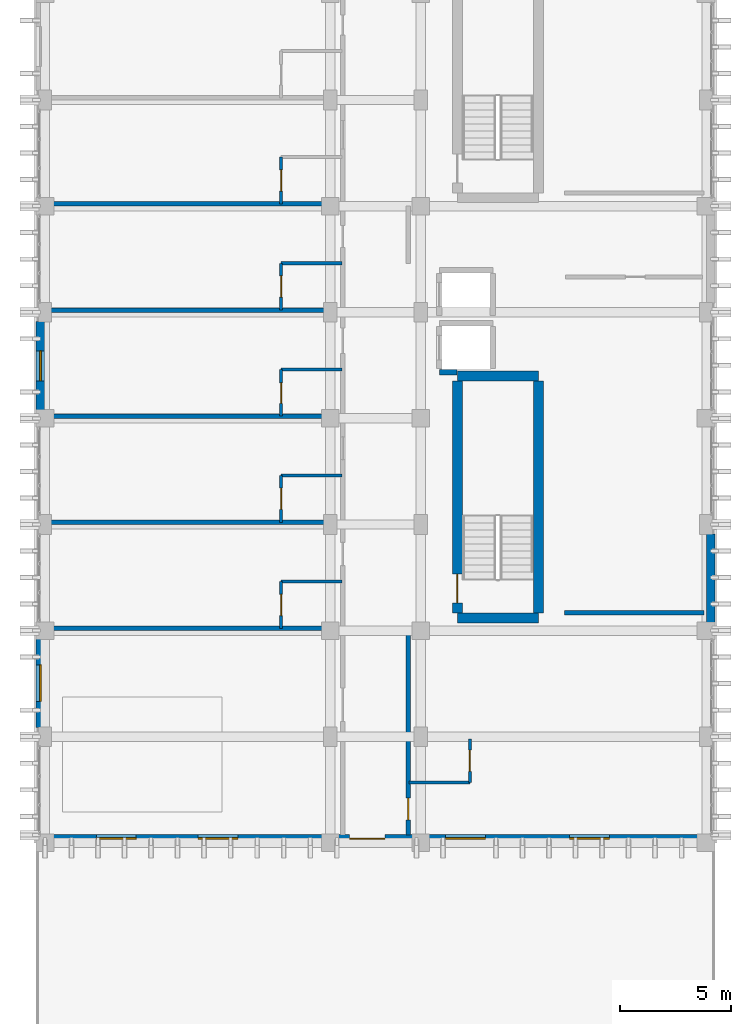
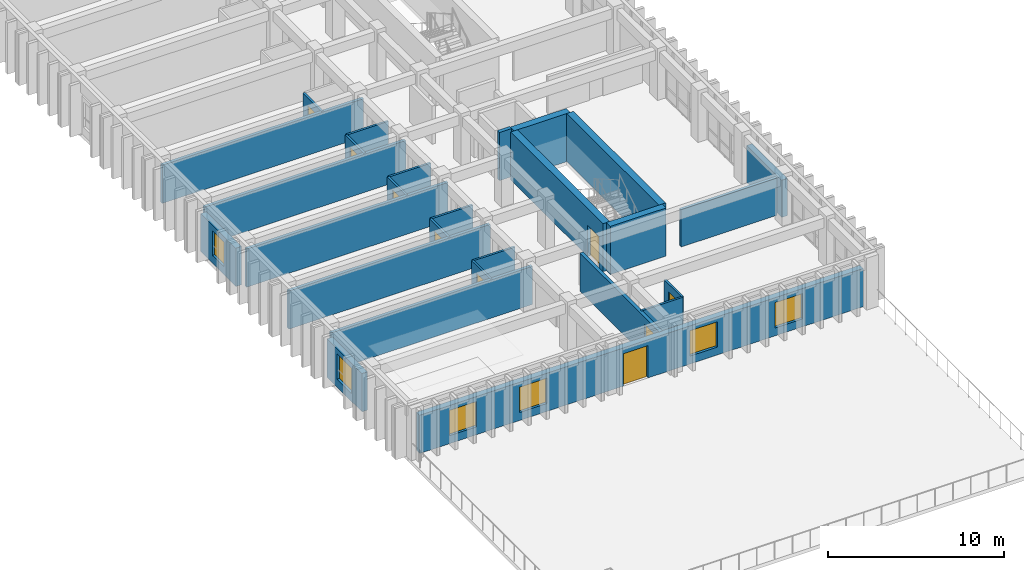
# One storey, part 63 of 82: 27 walls, 9 doors, 6 windows, 15 openings.
"""IFC4 building model written with IfcOpenShell, lengths in metres."""

from ifc_helpers import new_model, si_unit, direction, frame, frame_2d, origin, place, context, subcontext, project, spatial, rectangle, extrude, material, layer, layer_set, type_object, element, fill, save


model = new_model("IFC4")

# Units and contexts
model_context = context("Model", 3, precision=1e-05, world=origin(), true_north=direction((0.0, 1.0)))
body_context = subcontext(model_context, "Body", "Model", "MODEL_VIEW")
ifc_project = project(units=[si_unit("LENGTHUNIT", "METRE"), si_unit("AREAUNIT", "SQUARE_METRE"), si_unit("VOLUMEUNIT", "CUBIC_METRE"), si_unit("PLANEANGLEUNIT", "RADIAN"), si_unit("MASSUNIT", "GRAM", prefix="KILO")], contexts=[model_context])

# Site, building, storey
site_placement = place(None, origin())
site = spatial("IfcSite", under=ifc_project, at=site_placement, CompositionType="ELEMENT")
building_placement = place(site_placement, origin())
building = spatial("IfcBuilding", under=site, at=building_placement, Name="Nakhvara Creek Congress Hotel", CompositionType="ELEMENT")
storey_placement = place(building_placement, frame((0.0, 0.0, 21.0)))
storey = spatial("IfcBuildingStorey", under=building, at=storey_placement, Name="L04", CompositionType="ELEMENT", Elevation=21.0)

# Walls
ifc_material_1 = material(Name="Concrete C50/60", Category="concrete")
ifc_layer_1 = layer(ifc_material_1, 0.449951171875)
ifc_layer_set_1 = layer_set([ifc_layer_1], Name="Concrete C50/60")
wall_type_1 = type_object("IfcWallType", Name="W-CORE-450", PredefinedType="SHEAR", material=ifc_layer_set_1)
for number, where, z_axis, x_axis, name in (
    (1, (168.10009765625, 29.3798828125, 0.0), (0.0, 0.0, 1.0), (1.0, 0.0, 0.0), "Core Shear Wall WS02-CWALL-L04-0600"),
    (2, (168.10009765625, 40.320068359375, 0.0), (0.0, 0.0, 1.0), (1.0, 0.0, 0.0), "Core Shear Wall WS02-CWALL-L04-0601"),
):
    element("IfcWall", number, at=place(storey_placement, frame(where, z_axis=z_axis, x_axis=x_axis)), inside=storey, type_object=wall_type_1, Name=name, PredefinedType="SHEAR", context=body_context, shape_type="SweptSolid", body=[
        extrude(rectangle(XDim=3.669921875, YDim=0.449951171875, at=frame_2d((1.8349609375, 0.0))), origin(), (0.0, 0.0, 1.0), 3.340087890625),
    ])

# Wall, opening, door
wall_1_placement = place(storey_placement, frame((168.10009765625, 29.60009765625, 0.0), z_axis=(0.0, 0.0, 1.0), x_axis=(0.0, 1.0, 0.0)))
wall_1 = element("IfcWall", 3, at=wall_1_placement, inside=storey, type_object=wall_type_1, Name="Core Shear Wall WS02-CWALL-L04-0602", PredefinedType="SHEAR", context=body_context, shape_type="SweptSolid", body=[
    extrude(rectangle(XDim=10.5, YDim=0.449951171875, at=frame_2d((5.25, 0.0))), origin(), (0.0, 0.0, 1.0), 3.340087890625),
])
opening_1_placement = place(wall_1_placement, frame((0.449951171875, 0.0, 0.0)))
opening_1 = element("IfcOpeningElement", 4, at=opening_1_placement, cuts=wall_1, Name="Opening FD04", PredefinedType="OPENING", context=body_context, shape_type="SweptSolid", body=[
    extrude(rectangle(XDim=1.300048828125, YDim=2.14990234375, at=frame_2d((0.64990234375, 1.074951171875))), frame((0.0, 0.23681640625, 0.0), z_axis=(0.0, -1.0, 0.0), x_axis=(1.0, 0.0, 0.0)), (0.0, 0.0, 1.0), 0.473876953125),
])
ifc_material_2 = material(Name="Powder-coated steel fire door", Category="steel")
door_type_1 = type_object("IfcDoorType", Name="DT-STAIR-130", OperationType="NOTDEFINED", PredefinedType="DOOR", material=ifc_material_2)
door_1_placement = place(opening_1_placement, origin())
door_1 = element("IfcDoor", 5, at=door_1_placement, inside=storey, type_object=door_type_1, Name="Stair Exit Door ST03-L04", OperationType="SINGLE_SWING_LEFT", OverallHeight=2.14990234375, OverallWidth=1.300048828125, PredefinedType="DOOR", context=body_context, shape_type="SweptSolid", body=[
    extrude(rectangle(XDim=1.300048828125, YDim=2.14990234375, at=frame_2d((0.64990234375, 1.074951171875))), frame((0.0, 0.02490234375, 0.0), z_axis=(0.0, -1.0, 0.0), x_axis=(1.0, 0.0, 0.0)), (0.0, 0.0, 1.0), 0.050048828125),
])
fill(opening_1, door_1)

# Wall
wall_2_placement = place(storey_placement, frame((171.77001953125, 29.60009765625, 0.0), z_axis=(0.0, 0.0, 1.0), x_axis=(0.0, 1.0, 0.0)))
element("IfcWall", 6, at=wall_2_placement, inside=storey, type_object=wall_type_1, Name="Core Shear Wall WS02-CWALL-L04-0603", PredefinedType="SHEAR", context=body_context, shape_type="SweptSolid", body=[
    extrude(rectangle(XDim=10.5, YDim=0.449951171875, at=frame_2d((5.25, 0.0))), origin(), (0.0, 0.0, 1.0), 3.340087890625),
])

# Wall, opening, door
ifc_material_3 = material(Name="Gypsum acoustic board on steel stud", Category="steel")
ifc_layer_2 = layer(ifc_material_3, 0.219970703125)
ifc_layer_set_2 = layer_set([ifc_layer_2], Name="Gypsum acoustic board on steel stud")
wall_type_2 = type_object("IfcWallType", Name="W-CORR-220", PredefinedType="PARTITIONING", material=ifc_layer_set_2)
wall_3_placement = place(storey_placement, frame((165.8798828125, 19.550048828125, 0.0), z_axis=(0.0, 0.0, 1.0), x_axis=(0.0, 1.0, 0.0)))
wall_3 = element("IfcWall", 7, at=wall_3_placement, inside=storey, type_object=wall_type_2, Name="Interior Wall WP11-IW-L04-0288", PredefinedType="PARTITIONING", context=body_context, shape_type="SweptSolid", body=[
    extrude(rectangle(XDim=9.050048828125, YDim=0.219970703125, at=frame_2d((4.52490234375, 0.0))), origin(), (0.0, 0.0, 1.0), 2.652099609375),
])
opening_2_placement = place(wall_3_placement, frame((0.69091796875, 0.0, 0.0)))
opening_2 = element("IfcOpeningElement", 8, at=opening_2_placement, cuts=wall_3, Name="Opening MD03", PredefinedType="OPENING", context=body_context, shape_type="SweptSolid", body=[
    extrude(rectangle(XDim=0.97998046875, YDim=2.14990234375, at=frame_2d((0.489990234375, 1.074951171875))), frame((0.0, 0.1220703125, 0.0), z_axis=(0.0, -1.0, 0.0), x_axis=(1.0, 0.0, 0.0)), (0.0, 0.0, 1.0), 0.243896484375),
])
ifc_material_4 = material(Name="Acoustic ISO 2603 sound-lock timber door", Category="wood")
door_type_2 = type_object("IfcDoorType", Name="DT-ISO-098", OperationType="NOTDEFINED", PredefinedType="DOOR", material=ifc_material_4)
door_2_placement = place(opening_2_placement, origin())
door_2 = element("IfcDoor", 9, at=door_2_placement, inside=storey, type_object=door_type_2, Name="Interior Door MD03-0276", OperationType="SINGLE_SWING_LEFT", OverallHeight=2.14990234375, OverallWidth=0.97998046875, PredefinedType="DOOR", context=body_context, shape_type="SweptSolid", body=[
    extrude(rectangle(XDim=0.97998046875, YDim=2.14990234375, at=frame_2d((0.489990234375, 1.074951171875))), frame((0.0, 0.02490234375, 0.0), z_axis=(0.0, -1.0, 0.0), x_axis=(1.0, 0.0, 0.0)), (0.0, 0.0, 1.0), 0.050048828125),
])
fill(opening_2, door_2)

ifc_material_5 = material(Name="Moisture-resistant gypsum board partition")
ifc_layer_3 = layer(ifc_material_5, 0.139892578125)
ifc_layer_set_3 = layer_set([ifc_layer_3], Name="Moisture-resistant gypsum board partition")
wall_type_3 = type_object("IfcWallType", Name="W-ENS-140", PredefinedType="PARTITIONING", material=ifc_layer_set_3)
wall_4_placement = place(storey_placement, frame((160.1298828125, 28.89990234375, 0.0), z_axis=(0.0, 0.0, 1.0), x_axis=(0.0, 1.0, 0.0)))
wall_4 = element("IfcWall", 10, at=wall_4_placement, inside=storey, type_object=wall_type_3, Name="Interior Wall WP15-IW-L04-0303", PredefinedType="PARTITIONING", context=body_context, shape_type="SweptSolid", body=[
    extrude(rectangle(XDim=2.1162109375, YDim=0.139892578125, at=frame_2d((1.05810546875, 0.0))), origin(), (0.0, 0.0, 1.0), 2.652099609375),
])
opening_3_placement = place(wall_4_placement, frame((0.5830078125, 0.0, 0.0)))
opening_3 = element("IfcOpeningElement", 11, at=opening_3_placement, cuts=wall_4, Name="Opening ID02", PredefinedType="OPENING", context=body_context, shape_type="SweptSolid", body=[
    extrude(rectangle(XDim=0.9599609375, YDim=2.1201171875, at=frame_2d((0.47998046875, 1.06005859375))), frame((0.0, 0.08203125, 0.0), z_axis=(0.0, -1.0, 0.0), x_axis=(1.0, 0.0, 0.0)), (0.0, 0.0, 1.0), 0.163818359375),
])
ifc_material_6 = material(Name="Moisture-resistant walnut timber door", Category="wood")
door_type_3 = type_object("IfcDoorType", Name="DT-ENS-096", OperationType="NOTDEFINED", PredefinedType="DOOR", material=ifc_material_6)
door_3_placement = place(opening_3_placement, origin())
door_3 = element("IfcDoor", 12, at=door_3_placement, inside=storey, type_object=door_type_3, Name="Interior Door ID02-0259", OperationType="SINGLE_SWING_RIGHT", OverallHeight=2.1201171875, OverallWidth=0.9599609375, PredefinedType="DOOR", context=body_context, shape_type="SweptSolid", body=[
    extrude(rectangle(XDim=0.9599609375, YDim=2.1201171875, at=frame_2d((0.47998046875, 1.06005859375))), frame((0.0, 0.02490234375, 0.0), z_axis=(0.0, -1.0, 0.0), x_axis=(1.0, 0.0, 0.0)), (0.0, 0.0, 1.0), 0.050048828125),
])
fill(opening_3, door_3)

# Wall
wall_5_placement = place(storey_placement, frame((160.1298828125, 31.01611328125, 0.0), z_axis=(0.0, 0.0, 1.0), x_axis=(1.0, 0.0, 0.0)))
element("IfcWall", 13, at=wall_5_placement, inside=storey, type_object=wall_type_3, Name="Interior Wall WP15-IW-L04-0304", PredefinedType="PARTITIONING", context=body_context, shape_type="SweptSolid", body=[
    extrude(rectangle(XDim=2.75, YDim=0.139892578125, at=frame_2d((1.375, 0.0))), origin(), (0.0, 0.0, 1.0), 2.652099609375),
])

# Wall, opening, door
wall_6_placement = place(storey_placement, frame((160.1298828125, 33.699951171875, 0.0), z_axis=(0.0, 0.0, 1.0), x_axis=(0.0, 1.0, 0.0)))
wall_6 = element("IfcWall", 14, at=wall_6_placement, inside=storey, type_object=wall_type_3, Name="Interior Wall WP15-IW-L04-0306", PredefinedType="PARTITIONING", context=body_context, shape_type="SweptSolid", body=[
    extrude(rectangle(XDim=2.115966796875, YDim=0.139892578125, at=frame_2d((1.05810546875, 0.0))), origin(), (0.0, 0.0, 1.0), 2.652099609375),
])
opening_4_placement = place(wall_6_placement, frame((0.5830078125, 0.0, 0.0)))
opening_4 = element("IfcOpeningElement", 15, at=opening_4_placement, cuts=wall_6, Name="Opening ID02", PredefinedType="OPENING", context=body_context, shape_type="SweptSolid", body=[
    extrude(rectangle(XDim=0.9599609375, YDim=2.1201171875, at=frame_2d((0.47998046875, 1.06005859375))), frame((0.0, 0.08203125, 0.0), z_axis=(0.0, -1.0, 0.0), x_axis=(1.0, 0.0, 0.0)), (0.0, 0.0, 1.0), 0.163818359375),
])
door_4_placement = place(opening_4_placement, origin())
door_4 = element("IfcDoor", 16, at=door_4_placement, inside=storey, type_object=door_type_3, Name="Interior Door ID02-0261", OperationType="SINGLE_SWING_RIGHT", OverallHeight=2.1201171875, OverallWidth=0.9599609375, PredefinedType="DOOR", context=body_context, shape_type="SweptSolid", body=[
    extrude(rectangle(XDim=0.9599609375, YDim=2.1201171875, at=frame_2d((0.47998046875, 1.06005859375))), frame((0.0, 0.02490234375, 0.0), z_axis=(0.0, -1.0, 0.0), x_axis=(1.0, 0.0, 0.0)), (0.0, 0.0, 1.0), 0.050048828125),
])
fill(opening_4, door_4)

# Wall
wall_7_placement = place(storey_placement, frame((160.1298828125, 35.81591796875, 0.0), z_axis=(0.0, 0.0, 1.0), x_axis=(1.0, 0.0, 0.0)))
element("IfcWall", 17, at=wall_7_placement, inside=storey, type_object=wall_type_3, Name="Interior Wall WP15-IW-L04-0307", PredefinedType="PARTITIONING", context=body_context, shape_type="SweptSolid", body=[
    extrude(rectangle(XDim=2.75, YDim=0.139892578125, at=frame_2d((1.375, 0.0))), origin(), (0.0, 0.0, 1.0), 2.652099609375),
])

# Wall, opening, door
wall_8_placement = place(storey_placement, frame((160.1298828125, 38.5, 0.0), z_axis=(0.0, 0.0, 1.0), x_axis=(0.0, 1.0, 0.0)))
wall_8 = element("IfcWall", 18, at=wall_8_placement, inside=storey, type_object=wall_type_3, Name="Interior Wall WP15-IW-L04-0309", PredefinedType="PARTITIONING", context=body_context, shape_type="SweptSolid", body=[
    extrude(rectangle(XDim=2.115966796875, YDim=0.139892578125, at=frame_2d((1.05810546875, 0.0))), origin(), (0.0, 0.0, 1.0), 2.652099609375),
])
opening_5_placement = place(wall_8_placement, frame((0.5830078125, 0.0, 0.0)))
opening_5 = element("IfcOpeningElement", 19, at=opening_5_placement, cuts=wall_8, Name="Opening ID01", PredefinedType="OPENING", context=body_context, shape_type="SweptSolid", body=[
    extrude(rectangle(XDim=0.919921875, YDim=2.10009765625, at=frame_2d((0.4599609375, 1.050048828125))), frame((0.0, 0.08203125, 0.0), z_axis=(0.0, -1.0, 0.0), x_axis=(1.0, 0.0, 0.0)), (0.0, 0.0, 1.0), 0.163818359375),
])
door_type_4 = type_object("IfcDoorType", Name="DT-ENS-092", OperationType="NOTDEFINED", PredefinedType="DOOR", material=ifc_material_6)
door_5_placement = place(opening_5_placement, origin())
door_5 = element("IfcDoor", 20, at=door_5_placement, inside=storey, type_object=door_type_4, Name="Interior Door ID01-0263", OperationType="SINGLE_SWING_RIGHT", OverallHeight=2.10009765625, OverallWidth=0.919921875, PredefinedType="DOOR", context=body_context, shape_type="SweptSolid", body=[
    extrude(rectangle(XDim=0.919921875, YDim=2.10009765625, at=frame_2d((0.4599609375, 1.050048828125))), frame((0.0, 0.02490234375, 0.0), z_axis=(0.0, -1.0, 0.0), x_axis=(1.0, 0.0, 0.0)), (0.0, 0.0, 1.0), 0.050048828125),
])
fill(opening_5, door_5)

# Wall
wall_9_placement = place(storey_placement, frame((160.1298828125, 40.615966796875, 0.0), z_axis=(0.0, 0.0, 1.0), x_axis=(1.0, 0.0, 0.0)))
element("IfcWall", 21, at=wall_9_placement, inside=storey, type_object=wall_type_3, Name="Interior Wall WP15-IW-L04-0310", PredefinedType="PARTITIONING", context=body_context, shape_type="SweptSolid", body=[
    extrude(rectangle(XDim=2.75, YDim=0.139892578125, at=frame_2d((1.375, 0.0))), origin(), (0.0, 0.0, 1.0), 2.652099609375),
])

# Wall, opening, door
wall_10_placement = place(storey_placement, frame((160.1298828125, 43.300048828125, 0.0), z_axis=(0.0, 0.0, 1.0), x_axis=(0.0, 1.0, 0.0)))
wall_10 = element("IfcWall", 22, at=wall_10_placement, inside=storey, type_object=wall_type_3, Name="Interior Wall WP15-IW-L04-0312", PredefinedType="PARTITIONING", context=body_context, shape_type="SweptSolid", body=[
    extrude(rectangle(XDim=2.115966796875, YDim=0.139892578125, at=frame_2d((1.05810546875, 0.0))), origin(), (0.0, 0.0, 1.0), 2.652099609375),
])
opening_6_placement = place(wall_10_placement, frame((0.5830078125, 0.0, 0.0)))
opening_6 = element("IfcOpeningElement", 23, at=opening_6_placement, cuts=wall_10, Name="Opening ID02", PredefinedType="OPENING", context=body_context, shape_type="SweptSolid", body=[
    extrude(rectangle(XDim=0.9599609375, YDim=2.1201171875, at=frame_2d((0.47998046875, 1.06005859375))), frame((0.0, 0.08203125, 0.0), z_axis=(0.0, -1.0, 0.0), x_axis=(1.0, 0.0, 0.0)), (0.0, 0.0, 1.0), 0.163818359375),
])
door_6_placement = place(opening_6_placement, origin())
door_6 = element("IfcDoor", 24, at=door_6_placement, inside=storey, type_object=door_type_3, Name="Interior Door ID02-0265", OperationType="SINGLE_SWING_RIGHT", OverallHeight=2.1201171875, OverallWidth=0.9599609375, PredefinedType="DOOR", context=body_context, shape_type="SweptSolid", body=[
    extrude(rectangle(XDim=0.9599609375, YDim=2.1201171875, at=frame_2d((0.47998046875, 1.06005859375))), frame((0.0, 0.02490234375, 0.0), z_axis=(0.0, -1.0, 0.0), x_axis=(1.0, 0.0, 0.0)), (0.0, 0.0, 1.0), 0.050048828125),
])
fill(opening_6, door_6)

# Wall
wall_11_placement = place(storey_placement, frame((160.1298828125, 45.416015625, 0.0), z_axis=(0.0, 0.0, 1.0), x_axis=(1.0, 0.0, 0.0)))
element("IfcWall", 25, at=wall_11_placement, inside=storey, type_object=wall_type_3, Name="Interior Wall WP15-IW-L04-0313", PredefinedType="PARTITIONING", context=body_context, shape_type="SweptSolid", body=[
    extrude(rectangle(XDim=2.75, YDim=0.139892578125, at=frame_2d((1.375, 0.0))), origin(), (0.0, 0.0, 1.0), 2.652099609375),
])

# Wall, opening, door
wall_12_placement = place(storey_placement, frame((160.1298828125, 48.10009765625, 0.0), z_axis=(0.0, 0.0, 1.0), x_axis=(0.0, 1.0, 0.0)))
wall_12 = element("IfcWall", 26, at=wall_12_placement, inside=storey, type_object=wall_type_3, Name="Interior Wall WP15-IW-L04-0315", PredefinedType="PARTITIONING", context=body_context, shape_type="SweptSolid", body=[
    extrude(rectangle(XDim=2.115966796875, YDim=0.139892578125, at=frame_2d((1.05810546875, 0.0))), origin(), (0.0, 0.0, 1.0), 2.652099609375),
])
opening_7_placement = place(wall_12_placement, frame((0.5830078125, 0.0, 0.0)))
opening_7 = element("IfcOpeningElement", 27, at=opening_7_placement, cuts=wall_12, Name="Opening ID02", PredefinedType="OPENING", context=body_context, shape_type="SweptSolid", body=[
    extrude(rectangle(XDim=0.9599609375, YDim=2.1201171875, at=frame_2d((0.47998046875, 1.06005859375))), frame((0.0, 0.08203125, 0.0), z_axis=(0.0, -1.0, 0.0), x_axis=(1.0, 0.0, 0.0)), (0.0, 0.0, 1.0), 0.163818359375),
])
door_7_placement = place(opening_7_placement, origin())
door_7 = element("IfcDoor", 28, at=door_7_placement, inside=storey, type_object=door_type_3, Name="Interior Door ID02-0267", OperationType="SINGLE_SWING_RIGHT", OverallHeight=2.1201171875, OverallWidth=0.9599609375, PredefinedType="DOOR", context=body_context, shape_type="SweptSolid", body=[
    extrude(rectangle(XDim=0.9599609375, YDim=2.1201171875, at=frame_2d((0.47998046875, 1.06005859375))), frame((0.0, 0.02490234375, 0.0), z_axis=(0.0, -1.0, 0.0), x_axis=(1.0, 0.0, 0.0)), (0.0, 0.0, 1.0), 0.050048828125),
])
fill(opening_7, door_7)

wall_13_placement = place(storey_placement, frame((168.669921875, 21.922119140625, 0.0), z_axis=(0.0, 0.0, 1.0), x_axis=(0.0, 1.0, 0.0)))
wall_13 = element("IfcWall", 29, at=wall_13_placement, inside=storey, type_object=wall_type_3, Name="Interior Wall WP15-IW-L04-0329", PredefinedType="PARTITIONING", context=body_context, shape_type="SweptSolid", body=[
    extrude(rectangle(XDim=1.977783203125, YDim=0.139892578125, at=frame_2d((0.98876953125, 0.0))), origin(), (0.0, 0.0, 1.0), 2.652099609375),
])
opening_8_placement = place(wall_13_placement, frame((0.513916015625, 0.0, 0.0)))
opening_8 = element("IfcOpeningElement", 30, at=opening_8_placement, cuts=wall_13, Name="Opening ID02", PredefinedType="OPENING", context=body_context, shape_type="SweptSolid", body=[
    extrude(rectangle(XDim=0.9599609375, YDim=2.1201171875, at=frame_2d((0.47998046875, 1.06005859375))), frame((0.0, 0.08203125, 0.0), z_axis=(0.0, -1.0, 0.0), x_axis=(1.0, 0.0, 0.0)), (0.0, 0.0, 1.0), 0.163818359375),
])
door_8_placement = place(opening_8_placement, frame((0.9599609375, 0.0, 0.0), z_axis=(0.0, 0.0, 1.0), x_axis=(-1.0, 0.0, 0.0)))
door_8 = element("IfcDoor", 31, at=door_8_placement, inside=storey, type_object=door_type_3, Name="Interior Door ID02-0277", OperationType="SINGLE_SWING_RIGHT", OverallHeight=2.1201171875, OverallWidth=0.9599609375, PredefinedType="DOOR", context=body_context, shape_type="SweptSolid", body=[
    extrude(rectangle(XDim=0.9599609375, YDim=2.1201171875, at=frame_2d((0.47998046875, 1.06005859375))), frame((0.0, 0.02490234375, 0.0), z_axis=(0.0, -1.0, 0.0), x_axis=(1.0, 0.0, 0.0)), (0.0, 0.0, 1.0), 0.050048828125),
])
fill(opening_8, door_8)

# Wall
wall_14_placement = place(storey_placement, frame((165.919921875, 21.922119140625, 0.0), z_axis=(0.0, 0.0, 1.0), x_axis=(1.0, 0.0, 0.0)))
element("IfcWall", 32, at=wall_14_placement, inside=storey, type_object=wall_type_3, Name="Interior Wall WP15-IW-L04-0330", PredefinedType="PARTITIONING", context=body_context, shape_type="SweptSolid", body=[
    extrude(rectangle(XDim=2.75, YDim=0.139892578125, at=frame_2d((1.375, 0.0))), origin(), (0.0, 0.0, 1.0), 2.652099609375),
])

# Wall, openings, door, windows
ifc_material_7 = material(Name="Honed pale Omani limestone cladding", Category="masonry")
ifc_layer_4 = layer(ifc_material_7, 0.050048828125)
ifc_material_8 = material(Name="Mineral wool thermal insulation")
ifc_layer_5 = layer(ifc_material_8, 0.110107421875)
ifc_material_9 = material(Name="Precast concrete C40/50", Category="concrete")
ifc_layer_6 = layer(ifc_material_9, 0.219970703125)
ifc_layer_set_4 = layer_set([ifc_layer_4, ifc_layer_5, ifc_layer_6], Name="Precast concrete C40/50")
wall_type_4 = type_object("IfcWallType", Name="W-EXT-380", PredefinedType="SOLIDWALL", material=ifc_layer_set_4)
wall_15_placement = place(storey_placement, frame((178.97509765625, 19.389892578125, 0.0), z_axis=(0.0, 0.0, 1.0), x_axis=(-1.0, 0.0, 0.0)))
wall_15 = element("IfcWall", 33, at=wall_15_placement, inside=storey, type_object=wall_type_4, Name="Exterior Wall WE03-EW-L04-0132", PredefinedType="SOLIDWALL", context=body_context, shape_type="SweptSolid", body=[
    extrude(rectangle(XDim=29.150146484375, YDim=0.3798828125, at=frame_2d((14.5751953125, 0.0))), origin(), (0.0, 0.0, 1.0), 2.652099609375),
])
opening_9_placement = place(wall_15_placement, frame((14.14990234375, 0.0, 0.0)))
opening_9 = element("IfcOpeningElement", 34, at=opening_9_placement, cuts=wall_15, Name="Opening TDL04S", PredefinedType="OPENING", context=body_context, shape_type="SweptSolid", body=[
    extrude(rectangle(XDim=1.60009765625, YDim=2.25, at=frame_2d((0.800048828125, 1.125))), frame((0.0, 0.201904296875, 0.0), z_axis=(0.0, -1.0, 0.0), x_axis=(1.0, 0.0, 0.0)), (0.0, 0.0, 1.0), 0.40380859375),
])
opening_10_placement = place(wall_15_placement, frame((4.0, 0.0, 0.550048828125)))
opening_10 = element("IfcOpeningElement", 35, at=opening_10_placement, cuts=wall_15, Name="Opening WN0143", PredefinedType="OPENING", context=body_context, shape_type="SweptSolid", body=[
    extrude(rectangle(XDim=1.800048828125, YDim=1.760009765625, at=frame_2d((0.89990234375, 0.8798828125))), frame((0.0, 0.201904296875, 0.0), z_axis=(0.0, -1.0, 0.0), x_axis=(1.0, 0.0, 0.0)), (0.0, 0.0, 1.0), 0.40380859375),
])
opening_11_placement = place(wall_15_placement, frame((9.60009765625, 0.0, 0.550048828125)))
opening_11 = element("IfcOpeningElement", 36, at=opening_11_placement, cuts=wall_15, Name="Opening WN0144", PredefinedType="OPENING", context=body_context, shape_type="SweptSolid", body=[
    extrude(rectangle(XDim=1.800048828125, YDim=1.760009765625, at=frame_2d((0.89990234375, 0.8798828125))), frame((0.0, 0.201904296875, 0.0), z_axis=(0.0, -1.0, 0.0), x_axis=(1.0, 0.0, 0.0)), (0.0, 0.0, 1.0), 0.40380859375),
])
opening_12_placement = place(wall_15_placement, frame((20.800048828125, 0.0, 0.550048828125)))
opening_12 = element("IfcOpeningElement", 37, at=opening_12_placement, cuts=wall_15, Name="Opening WN0145", PredefinedType="OPENING", context=body_context, shape_type="SweptSolid", body=[
    extrude(rectangle(XDim=1.800048828125, YDim=1.760009765625, at=frame_2d((0.89990234375, 0.8798828125))), frame((0.0, 0.201904296875, 0.0), z_axis=(0.0, -1.0, 0.0), x_axis=(1.0, 0.0, 0.0)), (0.0, 0.0, 1.0), 0.40380859375),
])
opening_13_placement = place(wall_15_placement, frame((25.39990234375, 0.0, 0.550048828125)))
opening_13 = element("IfcOpeningElement", 38, at=opening_13_placement, cuts=wall_15, Name="Opening WN0146", PredefinedType="OPENING", context=body_context, shape_type="SweptSolid", body=[
    extrude(rectangle(XDim=1.800048828125, YDim=1.760009765625, at=frame_2d((0.89990234375, 0.8798828125))), frame((0.0, 0.201904296875, 0.0), z_axis=(0.0, -1.0, 0.0), x_axis=(1.0, 0.0, 0.0)), (0.0, 0.0, 1.0), 0.40380859375),
])
ifc_material_10 = material(Name="Bronze-anodised aluminium and laminated low-E glass", Category="aluminium")
door_type_5 = type_object("IfcDoorType", Name="DT-EXT-TER160", OperationType="DOUBLE_DOOR_SINGLE_SWING", PredefinedType="DOOR", material=ifc_material_10)
door_9_placement = place(opening_9_placement, origin())
door_9 = element("IfcDoor", 39, at=door_9_placement, inside=storey, type_object=door_type_5, Name="Creekside Setback Terrace Door TDL04S", OperationType="DOUBLE_DOOR_SINGLE_SWING", OverallHeight=2.25, OverallWidth=1.60009765625, PredefinedType="DOOR", context=body_context, shape_type="SweptSolid", body=[
    extrude(rectangle(XDim=1.60009765625, YDim=2.25, at=frame_2d((0.800048828125, 1.125))), frame((0.0, 0.02490234375, 0.0), z_axis=(0.0, -1.0, 0.0), x_axis=(1.0, 0.0, 0.0)), (0.0, 0.0, 1.0), 0.050048828125),
])
fill(opening_9, door_9)
ifc_material_11 = material(Name="Thermally broken bronze-anodised aluminium and double-silver low-E insulated glass", Category="aluminium")
window_type_1 = type_object("IfcWindowType", Name="WN-LAN-180X225", PartitioningType="SINGLE_PANEL", PredefinedType="WINDOW", material=ifc_material_11)
window_1_placement = place(opening_10_placement, origin())
window_1 = element("IfcWindow", 40, at=window_1_placement, inside=storey, type_object=window_type_1, Name="Facade Window WN0143", OverallHeight=1.760009765625, OverallWidth=1.800048828125, PartitioningType="SINGLE_PANEL", PredefinedType="WINDOW", context=body_context, shape_type="SweptSolid", body=[
    extrude(rectangle(XDim=1.800048828125, YDim=1.760009765625, at=frame_2d((0.89990234375, 0.8798828125))), frame((0.0, 0.030029296875, 0.0), z_axis=(0.0, -1.0, 0.0), x_axis=(1.0, 0.0, 0.0)), (0.0, 0.0, 1.0), 0.06005859375),
])
fill(opening_10, window_1)
window_2_placement = place(opening_11_placement, origin())
window_2 = element("IfcWindow", 41, at=window_2_placement, inside=storey, type_object=window_type_1, Name="Facade Window WN0144", OverallHeight=1.760009765625, OverallWidth=1.800048828125, PartitioningType="SINGLE_PANEL", PredefinedType="WINDOW", context=body_context, shape_type="SweptSolid", body=[
    extrude(rectangle(XDim=1.800048828125, YDim=1.760009765625, at=frame_2d((0.89990234375, 0.8798828125))), frame((0.0, 0.030029296875, 0.0), z_axis=(0.0, -1.0, 0.0), x_axis=(1.0, 0.0, 0.0)), (0.0, 0.0, 1.0), 0.06005859375),
])
fill(opening_11, window_2)
window_3_placement = place(opening_12_placement, origin())
window_3 = element("IfcWindow", 42, at=window_3_placement, inside=storey, type_object=window_type_1, Name="Facade Window WN0145", OverallHeight=1.760009765625, OverallWidth=1.800048828125, PartitioningType="SINGLE_PANEL", PredefinedType="WINDOW", context=body_context, shape_type="SweptSolid", body=[
    extrude(rectangle(XDim=1.800048828125, YDim=1.760009765625, at=frame_2d((0.89990234375, 0.8798828125))), frame((0.0, 0.030029296875, 0.0), z_axis=(0.0, -1.0, 0.0), x_axis=(1.0, 0.0, 0.0)), (0.0, 0.0, 1.0), 0.06005859375),
])
fill(opening_12, window_3)
window_4_placement = place(opening_13_placement, origin())
window_4 = element("IfcWindow", 43, at=window_4_placement, inside=storey, type_object=window_type_1, Name="Facade Window WN0146", OverallHeight=1.760009765625, OverallWidth=1.800048828125, PartitioningType="SINGLE_PANEL", PredefinedType="WINDOW", context=body_context, shape_type="SweptSolid", body=[
    extrude(rectangle(XDim=1.800048828125, YDim=1.760009765625, at=frame_2d((0.89990234375, 0.8798828125))), frame((0.0, 0.030029296875, 0.0), z_axis=(0.0, -1.0, 0.0), x_axis=(1.0, 0.0, 0.0)), (0.0, 0.0, 1.0), 0.06005859375),
])
fill(opening_13, window_4)

# Wall, opening, window
wall_16_placement = place(storey_placement, frame((149.239990234375, 24.425048828125, 0.0), z_axis=(0.0, 0.0, 1.0), x_axis=(0.0, 1.0, 0.0)))
wall_16 = element("IfcWall", 44, at=wall_16_placement, inside=storey, type_object=wall_type_4, Name="Exterior Wall WE03-EW-L04-0133", PredefinedType="SOLIDWALL", context=body_context, shape_type="SweptSolid", body=[
    extrude(rectangle(XDim=4.0, YDim=0.3798828125, at=frame_2d((2.0, 0.0))), origin(), (0.0, 0.0, 1.0), 2.652099609375),
])
opening_14_placement = place(wall_16_placement, frame((1.175048828125, 0.0, 0.550048828125)))
opening_14 = element("IfcOpeningElement", 45, at=opening_14_placement, cuts=wall_16, Name="Opening WN0147", PredefinedType="OPENING", context=body_context, shape_type="SweptSolid", body=[
    extrude(rectangle(XDim=1.64990234375, YDim=1.75, at=frame_2d((0.824951171875, 0.875))), frame((0.0, 0.201904296875, 0.0), z_axis=(0.0, -1.0, 0.0), x_axis=(1.0, 0.0, 0.0)), (0.0, 0.0, 1.0), 0.40380859375),
])
window_type_2 = type_object("IfcWindowType", Name="WN-LAN-165X225", PartitioningType="SINGLE_PANEL", PredefinedType="WINDOW", material=ifc_material_11)
window_5_placement = place(opening_14_placement, origin())
window_5 = element("IfcWindow", 46, at=window_5_placement, inside=storey, type_object=window_type_2, Name="Facade Window WN0147", OverallHeight=1.75, OverallWidth=1.64990234375, PartitioningType="SINGLE_PANEL", PredefinedType="WINDOW", context=body_context, shape_type="SweptSolid", body=[
    extrude(rectangle(XDim=1.64990234375, YDim=1.75, at=frame_2d((0.824951171875, 0.875))), frame((0.0, 0.030029296875, 0.0), z_axis=(0.0, -1.0, 0.0), x_axis=(1.0, 0.0, 0.0)), (0.0, 0.0, 1.0), 0.06005859375),
])
fill(opening_14, window_5)

# Wall
wall_17_placement = place(storey_placement, frame((179.56005859375, 33.175048828125, 0.0), z_axis=(0.0, 0.0, 1.0), x_axis=(0.0, -1.0, 0.0)))
element("IfcWall", 47, at=wall_17_placement, inside=storey, type_object=wall_type_4, Name="Exterior Wall WE03-EW-L04-0134", PredefinedType="SOLIDWALL", context=body_context, shape_type="SweptSolid", body=[
    extrude(rectangle(XDim=4.0, YDim=0.3798828125, at=frame_2d((2.0, 0.0))), origin(), (0.0, 0.0, 1.0), 2.58203125),
])

# Wall, opening, window
wall_18_placement = place(storey_placement, frame((149.239990234375, 38.77490234375, 0.0), z_axis=(0.0, 0.0, 1.0), x_axis=(0.0, 1.0, 0.0)))
wall_18 = element("IfcWall", 48, at=wall_18_placement, inside=storey, type_object=wall_type_4, Name="Exterior Wall WE03-EW-L04-0135", PredefinedType="SOLIDWALL", context=body_context, shape_type="SweptSolid", body=[
    extrude(rectangle(XDim=4.0, YDim=0.3798828125, at=frame_2d((2.0, 0.0))), origin(), (0.0, 0.0, 1.0), 2.652099609375),
])
opening_15_placement = place(wall_18_placement, frame((1.324951171875, 0.0, 0.550048828125)))
opening_15 = element("IfcOpeningElement", 49, at=opening_15_placement, cuts=wall_18, Name="Opening WN0148", PredefinedType="OPENING", context=body_context, shape_type="SweptSolid", body=[
    extrude(rectangle(XDim=1.35009765625, YDim=1.72998046875, at=frame_2d((0.675048828125, 0.864990234375))), frame((0.0, 0.201904296875, 0.0), z_axis=(0.0, -1.0, 0.0), x_axis=(1.0, 0.0, 0.0)), (0.0, 0.0, 1.0), 0.40380859375),
])
window_type_3 = type_object("IfcWindowType", Name="WN-LAN-135X220", PartitioningType="SINGLE_PANEL", PredefinedType="WINDOW", material=ifc_material_11)
window_6_placement = place(opening_15_placement, origin())
window_6 = element("IfcWindow", 50, at=window_6_placement, inside=storey, type_object=window_type_3, Name="Facade Window WN0148", OverallHeight=1.72998046875, OverallWidth=1.35009765625, PartitioningType="SINGLE_PANEL", PredefinedType="WINDOW", context=body_context, shape_type="SweptSolid", body=[
    extrude(rectangle(XDim=1.35009765625, YDim=1.72998046875, at=frame_2d((0.675048828125, 0.864990234375))), frame((0.0, 0.030029296875, 0.0), z_axis=(0.0, -1.0, 0.0), x_axis=(1.0, 0.0, 0.0)), (0.0, 0.0, 1.0), 0.06005859375),
])
fill(opening_15, window_6)

# Walls
ifc_layer_7 = layer(ifc_material_3, 0.199951171875)
ifc_layer_set_5 = layer_set([ifc_layer_7], Name="Gypsum acoustic board on steel stud")
wall_type_5 = type_object("IfcWallType", Name="W-PART-200", PredefinedType="PARTITIONING", material=ifc_layer_set_5)
wall_19_placement = place(storey_placement, frame((172.949951171875, 29.60009765625, 0.0), z_axis=(0.0, 0.0, 1.0), x_axis=(1.0, 0.0, 0.0)))
element("IfcWall", 51, at=wall_19_placement, inside=storey, type_object=wall_type_5, Name="Interior Wall WP12-IW-L04-0298", PredefinedType="PARTITIONING", context=body_context, shape_type="SweptSolid", body=[
    extrude(rectangle(XDim=6.300048828125, YDim=0.199951171875, at=frame_2d((3.14990234375, 0.0))), origin(), (0.0, 0.0, 1.0), 2.58203125),
])
for number, where, z_axis, x_axis, name in (
    (52, (149.550048828125, 28.89990234375, 0.0), (0.0, 0.0, 1.0), (1.0, 0.0, 0.0), "Interior Wall WP12-IW-L04-0302"),
    (53, (149.550048828125, 33.699951171875, 0.0), (0.0, 0.0, 1.0), (1.0, 0.0, 0.0), "Interior Wall WP12-IW-L04-0305"),
    (54, (149.550048828125, 38.5, 0.0), (0.0, 0.0, 1.0), (1.0, 0.0, 0.0), "Interior Wall WP12-IW-L04-0308"),
    (55, (149.550048828125, 43.300048828125, 0.0), (0.0, 0.0, 1.0), (1.0, 0.0, 0.0), "Interior Wall WP12-IW-L04-0311"),
    (56, (149.550048828125, 48.10009765625, 0.0), (0.0, 0.0, 1.0), (1.0, 0.0, 0.0), "Interior Wall WP12-IW-L04-0314"),
):
    element("IfcWall", number, at=place(storey_placement, frame(where, z_axis=z_axis, x_axis=x_axis)), inside=storey, type_object=wall_type_5, Name=name, PredefinedType="PARTITIONING", context=body_context, shape_type="SweptSolid", body=[
        extrude(rectangle(XDim=13.22998046875, YDim=0.199951171875, at=frame_2d((6.614990234375, 0.0))), origin(), (0.0, 0.0, 1.0), 2.652099609375),
    ])
ifc_material_12 = material(Name="Concrete C40/50", Category="concrete")
ifc_layer_8 = layer(ifc_material_12, 0.25)
ifc_layer_set_6 = layer_set([ifc_layer_8], Name="Concrete C40/50")
wall_type_6 = type_object("IfcWallType", Name="W-SHAFT-250", PredefinedType="SOLIDWALL", material=ifc_layer_set_6)
wall_20_placement = place(storey_placement, frame((167.2900390625, 40.489990234375, 0.0), z_axis=(0.0, 0.0, 1.0), x_axis=(1.0, 0.0, 0.0)))
element("IfcWall", 57, at=wall_20_placement, inside=storey, type_object=wall_type_6, Name="Core Shear Wall WI02-CWALL-L04-0604", PredefinedType="SOLIDWALL", context=body_context, shape_type="SweptSolid", body=[
    extrude(rectangle(XDim=0.800048828125, YDim=0.25, at=frame_2d((0.39990234375, 0.0))), origin(), (0.0, 0.0, 1.0), 3.340087890625),
])

save(model, "model.ifc")
